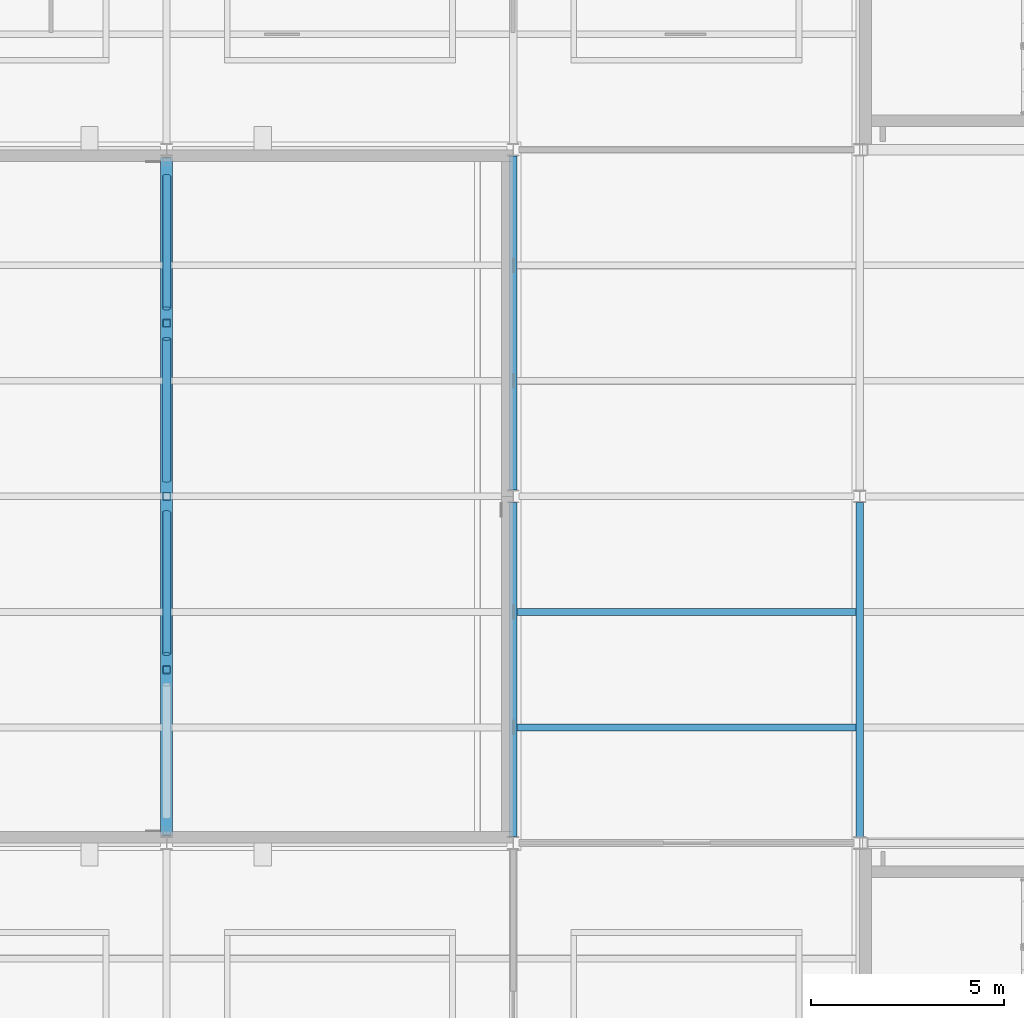
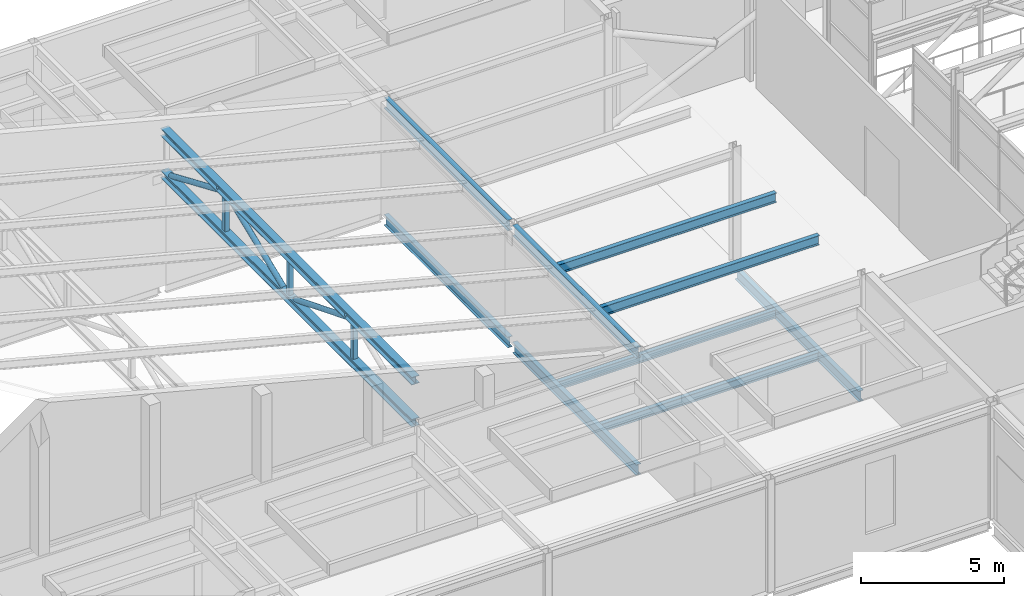
# One storey, part 41 of 115: 11 beams, 6 members.
"""IFC4 building model written with IfcOpenShell, lengths in metres."""

from ifc_helpers import new_model, si_unit, direction, frame, origin, origin_2d, place, context, subcontext, project, spatial, hollow_rectangle, hollow_circle, i_section, extrude, material, material_profile, profile_set, type_object, element, save


model = new_model("IFC4")

# Units and contexts
model_context = context("Model", 3, precision=1e-05, world=origin(), true_north=direction((0.0, 1.0)))
body_context = subcontext(model_context, "Body", "Model", "MODEL_VIEW")
ifc_project = project(units=[si_unit("LENGTHUNIT", "METRE"), si_unit("AREAUNIT", "SQUARE_METRE"), si_unit("VOLUMEUNIT", "CUBIC_METRE"), si_unit("PLANEANGLEUNIT", "RADIAN"), si_unit("MASSUNIT", "GRAM", prefix="KILO")], contexts=[model_context])

# Site, building, storey
site_placement = place(None, origin())
site = spatial("IfcSite", under=ifc_project, at=site_placement, CompositionType="ELEMENT")
building_placement = place(site_placement, origin())
building = spatial("IfcBuilding", under=site, at=building_placement, Name="Shorebreak Coast Museum", CompositionType="ELEMENT")
storey_placement = place(building_placement, frame((0.0, 0.0, 11.0)))
storey = spatial("IfcBuildingStorey", under=building, at=storey_placement, Name="L02", CompositionType="ELEMENT", Elevation=11.0)

# Beams
ifc_material_1 = material(Name="Steel Grade 300", Category="steel")
ifc_material_profile_1 = material_profile(ifc_material_1, i_section(OverallWidth=0.31103515625, OverallDepth=0.3271484375, WebThickness=0.015625, FlangeThickness=0.02490234375, FilletRadius=0.0166015625, at=origin_2d()), Name="310UC158")
ifc_profile_set_1 = profile_set([ifc_material_profile_1], Name="Steel Grade 300")
beam_type_1 = type_object("IfcBeamType", Name="Auditorium roof truss chord 310UC158", PredefinedType="BEAM", material=ifc_profile_set_1)
for number, where, z_axis, x_axis, name in (
    (1, (36.0, 63.199951171875, 4.747802734375), (0.0, 1.0, 0.0), (-1.0, 0.0, 0.0), "Auditorium roof truss TS2 chord C01"),
    (2, (36.0, 63.199951171875, 6.5478515625), (0.0, 1.0, 0.0), (-1.0, 0.0, 0.0), "Auditorium roof truss TS2 chord C02"),
):
    element("IfcBeam", number, at=place(storey_placement, frame(where, z_axis=z_axis, x_axis=x_axis)), inside=storey, type_object=beam_type_1, Name=name, PredefinedType="BEAM", context=body_context, shape_type="SweptSolid", body=[
        extrude(i_section(OverallWidth=0.31103515625, OverallDepth=0.3271484375, WebThickness=0.015625, FlangeThickness=0.02490234375, FilletRadius=0.0166015625, at=origin_2d()), origin(), (0.0, 0.0, 1.0), 17.60009765625),
    ])

# Members
ifc_material_2 = material(Name="Steel Grade C350L0", Category="steel")
ifc_material_profile_2 = material_profile(ifc_material_2, hollow_circle(Radius=0.109619140625, WallThickness=0.00830078125, at=origin_2d()), Name="219.1x8.2 CHS")
ifc_profile_set_2 = profile_set([ifc_material_profile_2], Name="Steel Grade C350L0")
member_type_1 = type_object("IfcMemberType", Name="Auditorium roof truss diagonal 219.1x8.2 CHS", PredefinedType="BRACE", material=ifc_profile_set_2)
for number, where, z_axis, x_axis, name in (
    (3, (36.0, 71.591064453125, 4.911376953125), (0.0, -0.928472445195, 0.371401290403), (1.0, 0.0, 0.0), "Auditorium roof truss TS2 diagonal D02"),
    (4, (36.0, 72.408935546875, 4.911376953125), (0.0, 0.928472445195, 0.371401290403), (-1.0, 0.0, 0.0), "Auditorium roof truss TS2 diagonal D03"),
):
    element("IfcMember", number, at=place(storey_placement, frame(where, z_axis=z_axis, x_axis=x_axis)), inside=storey, type_object=member_type_1, Name=name, PredefinedType="BRACE", context=body_context, shape_type="SweptSolid", body=[
        extrude(hollow_circle(Radius=0.109619140625, WallThickness=0.00830078125, at=origin_2d()), origin(), (0.0, 0.0, 1.0), 3.9658203125),
    ])
member_placement = place(storey_placement, frame((36.0, 80.318359375, 4.911376953125), z_axis=(0.0, -0.919145030018, 0.393919298579), x_axis=(1.0, 0.0, 0.0)))
element("IfcMember", 5, at=member_placement, inside=storey, type_object=member_type_1, Name="Auditorium roof truss TS2 diagonal D04", PredefinedType="BRACE", context=body_context, shape_type="SweptSolid", body=[
    extrude(hollow_circle(Radius=0.109619140625, WallThickness=0.00830078125, at=origin_2d()), origin(), (0.0, 0.0, 1.0), 3.739013671875),
])
ifc_material_3 = material(Name="Steel Grade C450L0", Category="steel")
ifc_material_profile_3 = material_profile(ifc_material_3, hollow_rectangle(XDim=0.199951171875, YDim=0.199951171875, WallThickness=0.009033203125, InnerFilletRadius=0.013427734375, OuterFilletRadius=0.0224609375, at=origin_2d()), Name="200x200x9.0 SHS")
ifc_profile_set_3 = profile_set([ifc_material_profile_3], Name="Steel Grade C450L0")
member_type_2 = type_object("IfcMemberType", Name="Auditorium roof truss strut 200x200x9.0 SHS", PredefinedType="STRUT", material=ifc_profile_set_3)
for number, where, z_axis, x_axis, name in (
    (6, (36.0, 67.5, 4.911376953125), (0.0, 0.0, 1.0), (1.0, 0.0, 0.0), "Auditorium roof truss TS2 strut V02"),
    (7, (36.0, 72.0, 4.911376953125), (0.0, 0.0, 1.0), (1.0, 0.0, 0.0), "Auditorium roof truss TS2 strut V03"),
    (8, (36.0, 76.5, 4.911376953125), (0.0, 0.0, 1.0), (1.0, 0.0, 0.0), "Auditorium roof truss TS2 strut V04"),
):
    element("IfcMember", number, at=place(storey_placement, frame(where, z_axis=z_axis, x_axis=x_axis)), inside=storey, type_object=member_type_2, Name=name, PredefinedType="STRUT", context=body_context, shape_type="SweptSolid", body=[
        extrude(hollow_rectangle(XDim=0.199951171875, YDim=0.199951171875, WallThickness=0.009033203125, InnerFilletRadius=0.013427734375, OuterFilletRadius=0.0224609375, at=origin_2d()), origin(), (0.0, 0.0, 1.0), 1.472900390625),
    ])

# Beams
ifc_material_4 = material(Name="Steel Grade 300", Category="steel")
ifc_material_profile_4 = material_profile(ifc_material_4, i_section(OverallWidth=0.19091796875, OverallDepth=0.46044921875, WebThickness=0.010009765625, FlangeThickness=0.01611328125, FilletRadius=0.011474609375, at=origin_2d()), Name="460UB82.1")
ifc_profile_set_4 = profile_set([ifc_material_profile_4], Name="Steel Grade 300")
beam_type_2 = type_object("IfcBeamType", Name="Floor girder north-south 460UB82.1", PredefinedType="BEAM", material=ifc_profile_set_4)
beam_1_placement = place(storey_placement, frame((45.0, 63.16357421875, -0.4052734375), z_axis=(0.0, 1.0, 0.0), x_axis=(-1.0, 0.0, 0.0)))
element("IfcBeam", 9, at=beam_1_placement, inside=storey, type_object=beam_type_2, Name="Floor girder north-south L02 6H", PredefinedType="BEAM", context=body_context, shape_type="SweptSolid", body=[
    extrude(i_section(OverallWidth=0.19091796875, OverallDepth=0.46044921875, WebThickness=0.010009765625, FlangeThickness=0.01611328125, FilletRadius=0.011474609375, at=origin_2d()), origin(), (0.0, 0.0, 1.0), 8.6728515625),
])
beam_2_placement = place(storey_placement, frame((54.0, 63.160400390625, -0.4052734375), z_axis=(0.0, 1.0, 0.0), x_axis=(-1.0, 0.0, 0.0)))
element("IfcBeam", 10, at=beam_2_placement, inside=storey, type_object=beam_type_2, Name="Floor girder north-south L02 7H", PredefinedType="BEAM", context=body_context, shape_type="SweptSolid", body=[
    extrude(i_section(OverallWidth=0.19091796875, OverallDepth=0.46044921875, WebThickness=0.010009765625, FlangeThickness=0.01611328125, FilletRadius=0.011474609375, at=origin_2d()), origin(), (0.0, 0.0, 1.0), 8.67919921875),
])
beam_3_placement = place(storey_placement, frame((45.0, 72.16357421875, -0.4052734375), z_axis=(0.0, 1.0, 0.0), x_axis=(-1.0, 0.0, 0.0)))
element("IfcBeam", 11, at=beam_3_placement, inside=storey, type_object=beam_type_2, Name="Floor girder north-south L02 6J", PredefinedType="BEAM", context=body_context, shape_type="SweptSolid", body=[
    extrude(i_section(OverallWidth=0.19091796875, OverallDepth=0.46044921875, WebThickness=0.010009765625, FlangeThickness=0.01611328125, FilletRadius=0.011474609375, at=origin_2d()), origin(), (0.0, 0.0, 1.0), 8.6728515625),
])
ifc_material_5 = material(Name="Steel Grade 300", Category="steel")
ifc_material_profile_5 = material_profile(ifc_material_5, i_section(OverallWidth=0.1708984375, OverallDepth=0.355712890625, WebThickness=0.00732421875, FlangeThickness=0.011474609375, FilletRadius=0.011474609375, at=origin_2d()), Name="360UB50.7")
ifc_profile_set_5 = profile_set([ifc_material_profile_5], Name="Steel Grade 300")
beam_type_3 = type_object("IfcBeamType", Name="Floor joist 360UB50.7", PredefinedType="JOIST", material=ifc_profile_set_5)
for number, where, z_axis, x_axis, name in (
    (12, (45.095458984375, 66.0, -0.352783203125), (1.0, 0.0, 0.0), (0.0, 1.0, 0.0), "Floor joist L02 bay 6H at 3000 mm"),
    (13, (45.095458984375, 69.0, -0.352783203125), (1.0, 0.0, 0.0), (0.0, 1.0, 0.0), "Floor joist L02 bay 6H at 6000 mm"),
):
    element("IfcBeam", number, at=place(storey_placement, frame(where, z_axis=z_axis, x_axis=x_axis)), inside=storey, type_object=beam_type_3, Name=name, PredefinedType="JOIST", context=body_context, shape_type="SweptSolid", body=[
        extrude(i_section(OverallWidth=0.1708984375, OverallDepth=0.355712890625, WebThickness=0.00732421875, FlangeThickness=0.011474609375, FilletRadius=0.011474609375, at=origin_2d()), origin(), (0.0, 0.0, 1.0), 8.80908203125),
    ])
ifc_material_6 = material(Name="Steel Grade 300", Category="steel")
ifc_material_profile_6 = material_profile(ifc_material_6, i_section(OverallWidth=0.18994140625, OverallDepth=0.453857421875, WebThickness=0.008544921875, FlangeThickness=0.0126953125, FilletRadius=0.011474609375, at=origin_2d()), Name="460UB67.1")
ifc_profile_set_6 = profile_set([ifc_material_profile_6], Name="Steel Grade 300")
beam_type_4 = type_object("IfcBeamType", Name="Roof deck girder north-south 460UB67.1", PredefinedType="BEAM", material=ifc_profile_set_6)
for number, where, z_axis, x_axis, name in (
    (14, (45.0, 63.16357421875, 4.59814453125), (0.0, 1.0, 0.0), (-1.0, 0.0, 0.0), "Roof deck girder north-south L03 6H"),
    (15, (45.0, 72.16357421875, 4.59814453125), (0.0, 1.0, 0.0), (-1.0, 0.0, 0.0), "Roof deck girder north-south L03 6J"),
):
    element("IfcBeam", number, at=place(storey_placement, frame(where, z_axis=z_axis, x_axis=x_axis)), inside=storey, type_object=beam_type_4, Name=name, PredefinedType="BEAM", context=body_context, shape_type="SweptSolid", body=[
        extrude(i_section(OverallWidth=0.18994140625, OverallDepth=0.453857421875, WebThickness=0.008544921875, FlangeThickness=0.0126953125, FilletRadius=0.011474609375, at=origin_2d()), origin(), (0.0, 0.0, 1.0), 8.6728515625),
    ])
ifc_material_7 = material(Name="Steel Grade 300", Category="steel")
ifc_material_profile_7 = material_profile(ifc_material_7, i_section(OverallWidth=0.177978515625, OverallDepth=0.402587890625, WebThickness=0.007568359375, FlangeThickness=0.010986328125, FilletRadius=0.011474609375, at=origin_2d()), Name="410UB53.7")
ifc_profile_set_7 = profile_set([ifc_material_profile_7], Name="Steel Grade 300")
beam_type_5 = type_object("IfcBeamType", Name="Roof deck joist 410UB53.7", PredefinedType="JOIST", material=ifc_profile_set_7)
for number, where, z_axis, x_axis, name in (
    (16, (45.094970703125, 66.0, 4.623779296875), (1.0, 0.0, 0.0), (0.0, 1.0, 0.0), "Roof deck joist L03 bay 6H at 3000 mm"),
    (17, (45.094970703125, 69.0, 4.623779296875), (1.0, 0.0, 0.0), (0.0, 1.0, 0.0), "Roof deck joist L03 bay 6H at 6000 mm"),
):
    element("IfcBeam", number, at=place(storey_placement, frame(where, z_axis=z_axis, x_axis=x_axis)), inside=storey, type_object=beam_type_5, Name=name, PredefinedType="JOIST", context=body_context, shape_type="SweptSolid", body=[
        extrude(i_section(OverallWidth=0.177978515625, OverallDepth=0.402587890625, WebThickness=0.007568359375, FlangeThickness=0.010986328125, FilletRadius=0.011474609375, at=origin_2d()), origin(), (0.0, 0.0, 1.0), 8.81005859375),
    ])

save(model, "model.ifc")
